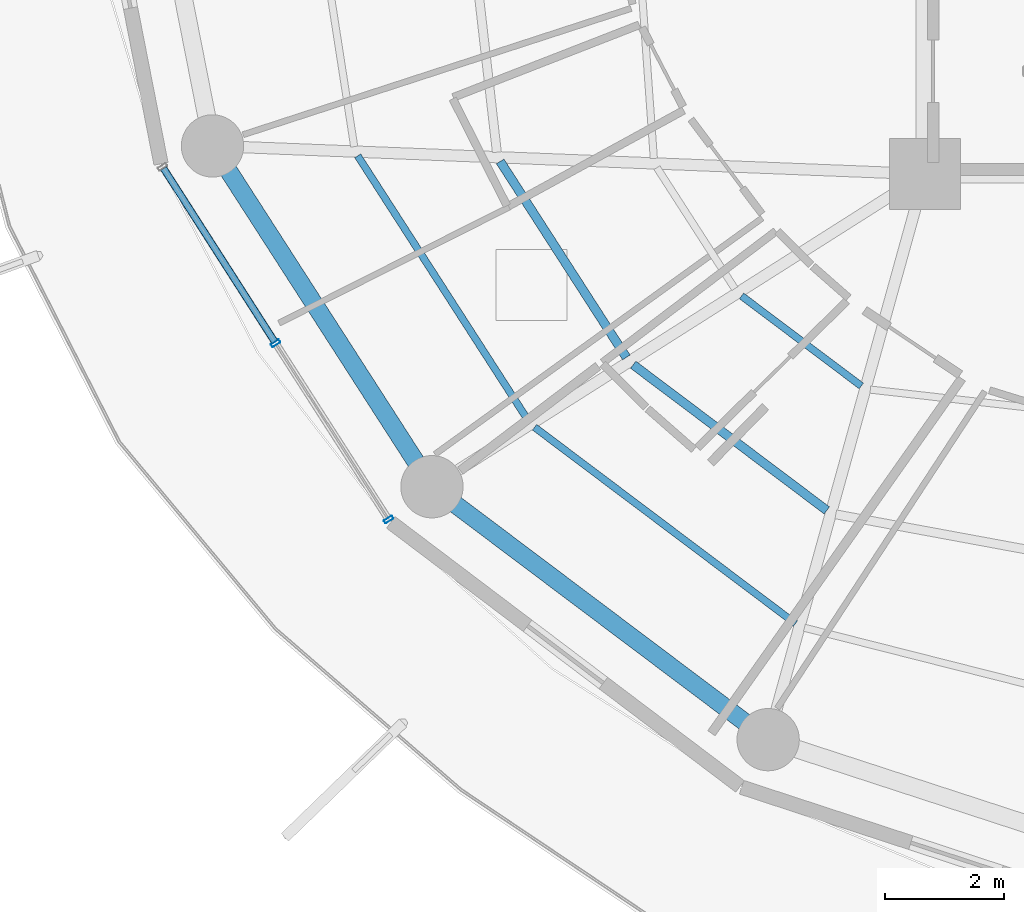
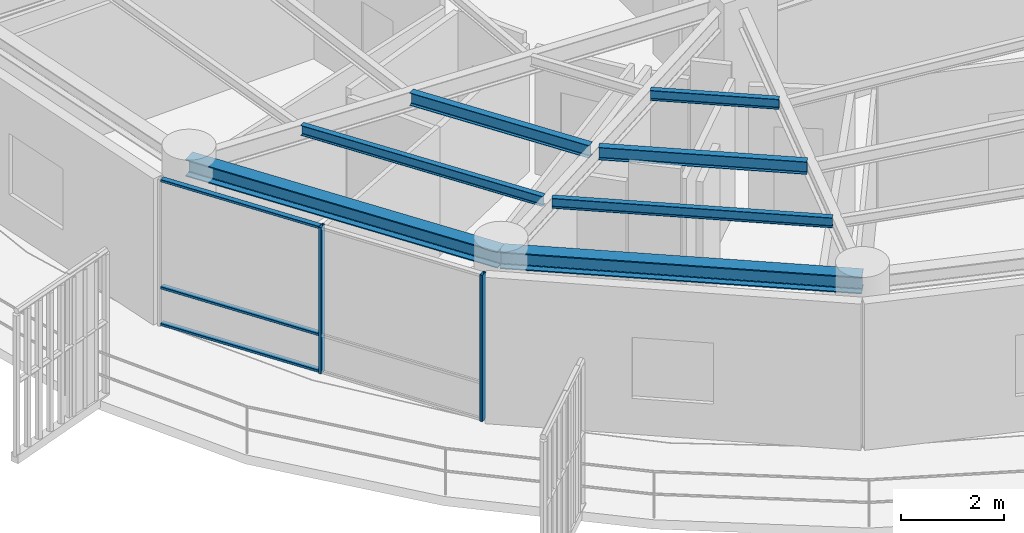
# One storey, part 2 of 30: 7 beams, 5 members, 1 element without a shape of its own.
"""IFC4 building model written with IfcOpenShell, lengths in metres."""

from ifc_helpers import new_model, si_unit, direction, frame, origin, origin_2d, place, context, subcontext, project, spatial, hollow_rectangle, i_section, extrude, material, layer, layer_set, material_profile, profile_set, type_object, element, aggregate, save


model = new_model("IFC4")

# Units and contexts
model_context = context("Model", 3, precision=1e-05, world=origin(), true_north=direction((0.0, 1.0)))
body_context = subcontext(model_context, "Body", "Model", "MODEL_VIEW")
ifc_project = project(units=[si_unit("LENGTHUNIT", "METRE"), si_unit("AREAUNIT", "SQUARE_METRE"), si_unit("VOLUMEUNIT", "CUBIC_METRE"), si_unit("PLANEANGLEUNIT", "RADIAN"), si_unit("MASSUNIT", "GRAM", prefix="KILO")], contexts=[model_context])

# Site, building, storey
site_placement = place(None, origin())
site = spatial("IfcSite", under=ifc_project, at=site_placement, CompositionType="ELEMENT")
building_placement = place(site_placement, origin())
building = spatial("IfcBuilding", under=site, at=building_placement, Name="Kelanora Arch Commons", CompositionType="ELEMENT")
storey_placement = place(building_placement, frame((0.0, 0.0, 211.949951171875)))
storey = spatial("IfcBuildingStorey", under=building, at=storey_placement, Name="L54", CompositionType="ELEMENT", Elevation=211.949951171875)

# Beams
ifc_material_1 = material(Name="Steel S355", Category="steel")
ifc_material_profile_1 = material_profile(ifc_material_1, i_section(OverallWidth=0.14990234375, OverallDepth=0.300048828125, WebThickness=0.007080078125, FlangeThickness=0.0107421875, FilletRadius=0.014892578125, at=origin_2d()), Name="IPE300")
ifc_profile_set_1 = profile_set([ifc_material_profile_1], Name="Steel S355")
beam_type_1 = type_object("IfcBeamType", Name="BM-JST-01", PredefinedType="JOIST", material=ifc_profile_set_1)
beam_1_placement = place(storey_placement, frame((58.847900390625, 51.213134765625, 3.340087890625), z_axis=(0.541411265892, -0.840757896879, 0.0), x_axis=(0.840757896879, 0.541411265892, 0.0)))
element("IfcBeam", 1, at=beam_1_placement, inside=storey, type_object=beam_type_1, Name="Secondary Chord Joist BJB-20 L54", PredefinedType="JOIST", context=body_context, shape_type="SweptSolid", body=[
    extrude(i_section(OverallWidth=0.14990234375, OverallDepth=0.300048828125, WebThickness=0.007080078125, FlangeThickness=0.0107421875, FilletRadius=0.014892578125, at=origin_2d()), origin(), (0.0, 0.0, 1.0), 3.92529296875),
])
beam_2_placement = place(storey_placement, frame((61.087158203125, 47.790283203125, 3.340087890625), z_axis=(0.799101708656, -0.601195857624, 0.0), x_axis=(0.601195857624, 0.799101708656, 0.0)))
element("IfcBeam", 2, at=beam_2_placement, inside=storey, type_object=beam_type_1, Name="Secondary Chord Joist BJB-22 L54", PredefinedType="JOIST", context=body_context, shape_type="SweptSolid", body=[
    extrude(i_section(OverallWidth=0.14990234375, OverallDepth=0.300048828125, WebThickness=0.007080078125, FlangeThickness=0.0107421875, FilletRadius=0.014892578125, at=origin_2d()), origin(), (0.0, 0.0, 1.0), 4.080810546875),
])
ifc_material_profile_2 = material_profile(ifc_material_1, i_section(OverallWidth=0.1201171875, OverallDepth=0.239990234375, WebThickness=0.006103515625, FlangeThickness=0.009765625, FilletRadius=0.014892578125, at=origin_2d()), Name="IPE240")
ifc_profile_set_2 = profile_set([ifc_material_profile_2], Name="Steel S355")
beam_type_2 = type_object("IfcBeamType", Name="BM-JST-02", PredefinedType="JOIST", material=ifc_profile_set_2)
beam_3_placement = place(storey_placement, frame((56.44873046875, 51.30810546875, 3.3701171875), z_axis=(0.541382492679, -0.840776424872, 0.0), x_axis=(0.840776424872, 0.541382492679, 0.0)))
element("IfcBeam", 3, at=beam_3_placement, inside=storey, type_object=beam_type_2, Name="Secondary Chord Joist BJC-20 L54", PredefinedType="JOIST", context=body_context, shape_type="SweptSolid", body=[
    extrude(i_section(OverallWidth=0.1201171875, OverallDepth=0.239990234375, WebThickness=0.006103515625, FlangeThickness=0.009765625, FilletRadius=0.014892578125, at=origin_2d()), origin(), (0.0, 0.0, 1.0), 5.29052734375),
])
beam_4_placement = place(storey_placement, frame((62.913330078125, 48.948486328125, 3.3701171875), z_axis=(0.79911638933, -0.601176343766, 0.0), x_axis=(0.601176343766, 0.79911638933, 0.0)))
element("IfcBeam", 4, at=beam_4_placement, inside=storey, type_object=beam_type_2, Name="Secondary Chord Joist BJA-22 L54", PredefinedType="JOIST", context=body_context, shape_type="SweptSolid", body=[
    extrude(i_section(OverallWidth=0.1201171875, OverallDepth=0.239990234375, WebThickness=0.006103515625, FlangeThickness=0.009765625, FilletRadius=0.014892578125, at=origin_2d()), origin(), (0.0, 0.0, 1.0), 2.522216796875),
])
beam_5_placement = place(storey_placement, frame((59.4267578125, 46.7373046875, 3.3701171875), z_axis=(0.799109197935, -0.601185902842, 0.0), x_axis=(0.601185902842, 0.799109197935, 0.0)))
element("IfcBeam", 5, at=beam_5_placement, inside=storey, type_object=beam_type_2, Name="Secondary Chord Joist BJC-22 L54", PredefinedType="JOIST", context=body_context, shape_type="SweptSolid", body=[
    extrude(i_section(OverallWidth=0.1201171875, OverallDepth=0.239990234375, WebThickness=0.006103515625, FlangeThickness=0.009765625, FilletRadius=0.014892578125, at=origin_2d()), origin(), (0.0, 0.0, 1.0), 5.497802734375),
])
ifc_material_profile_3 = material_profile(ifc_material_1, i_section(OverallWidth=0.300048828125, OverallDepth=0.39990234375, WebThickness=0.013427734375, FlangeThickness=0.02392578125, FilletRadius=0.027099609375, at=origin_2d()), Name="HEB400")
ifc_profile_set_3 = profile_set([ifc_material_profile_3], Name="Steel S355")
beam_type_3 = type_object("IfcBeamType", Name="BM-SPN-Z4", PredefinedType="SPANDREL", material=ifc_profile_set_3)
beam_6_placement = place(storey_placement, frame((54.00341796875, 51.474365234375, 3.2900390625), z_axis=(0.541364878868, -0.840787766281, 0.0), x_axis=(0.840787766281, 0.541364878868, 0.0)))
element("IfcBeam", 6, at=beam_6_placement, inside=storey, type_object=beam_type_3, Name="Perimeter Spandrel Beam BS-20 L54", PredefinedType="SPANDREL", context=body_context, shape_type="SweptSolid", body=[
    extrude(i_section(OverallWidth=0.300048828125, OverallDepth=0.39990234375, WebThickness=0.013427734375, FlangeThickness=0.02392578125, FilletRadius=0.027099609375, at=origin_2d()), origin(), (0.0, 0.0, 1.0), 6.825439453125),
])
beam_7_placement = place(storey_placement, frame((57.698486328125, 45.735595703125, 3.2900390625), z_axis=(0.799114211715, -0.60117923836, 0.0), x_axis=(0.60117923836, 0.799114211715, 0.0)))
element("IfcBeam", 7, at=beam_7_placement, inside=storey, type_object=beam_type_3, Name="Perimeter Spandrel Beam BS-22 L54", PredefinedType="SPANDREL", context=body_context, shape_type="SweptSolid", body=[
    extrude(i_section(OverallWidth=0.300048828125, OverallDepth=0.39990234375, WebThickness=0.013427734375, FlangeThickness=0.02392578125, FilletRadius=0.027099609375, at=origin_2d()), origin(), (0.0, 0.0, 1.0), 7.0849609375),
])

# Curtain wall, members
ifc_material_2 = material(Name="Terracotta ceramic-fritted low-E glass and aluminium", Category="masonry")
ifc_layer = layer(ifc_material_2, 0.175048828125)
ifc_layer_set = layer_set([ifc_layer], Name="Terracotta ceramic-fritted low-E glass and aluminium")
curtain_wall_type = type_object("IfcCurtainWallType", Name="CW-SYS-02", PredefinedType="NOTDEFINED", material=ifc_layer_set)
curtain_wall_placement = place(storey_placement, origin())
curtain_wall = element("IfcCurtainWall", 8, at=curtain_wall_placement, inside=storey, type_object=curtain_wall_type, Name="Unitised Curtain Wall L54-B10", PredefinedType="NOTDEFINED")
ifc_material_3 = material(Name="Powder-coated aluminium terracotta", Category="masonry")
ifc_material_profile_4 = material_profile(ifc_material_3, hollow_rectangle(XDim=0.159912109375, YDim=0.06005859375, WallThickness=0.0048828125, InnerFilletRadius=0.0048828125, OuterFilletRadius=0.010009765625, at=origin_2d()), Name="CWM160x60")
ifc_profile_set_4 = profile_set([ifc_material_profile_4], Name="Powder-coated aluminium terracotta")
member_type_1 = type_object("IfcMemberType", Name="CWM-STD", PredefinedType="MULLION", material=ifc_profile_set_4)
member_1_placement = place(storey_placement, frame((55.06640625, 48.15185546875, 0.0), z_axis=(0.0, 0.0, 1.0), x_axis=(0.84194757539, 0.539559338994, 0.0)))
member_1 = element("IfcMember", 9, at=member_1_placement, type_object=member_type_1, Name="CW-02 mullion 2", PredefinedType="MULLION", context=body_context, shape_type="SweptSolid", body=[
    extrude(hollow_rectangle(XDim=0.159912109375, YDim=0.06005859375, WallThickness=0.0048828125, InnerFilletRadius=0.0048828125, OuterFilletRadius=0.010009765625, at=origin_2d()), origin(), (0.0, 0.0, 1.0), 3.47509765625),
])
member_2_placement = place(storey_placement, frame((56.969482421875, 45.18212890625, 0.0), z_axis=(0.0, 0.0, 1.0), x_axis=(0.84194757539, 0.539559338994, 0.0)))
member_2 = element("IfcMember", 10, at=member_2_placement, type_object=member_type_1, Name="CW-02 mullion 3", PredefinedType="MULLION", context=body_context, shape_type="SweptSolid", body=[
    extrude(hollow_rectangle(XDim=0.159912109375, YDim=0.06005859375, WallThickness=0.0048828125, InnerFilletRadius=0.0048828125, OuterFilletRadius=0.010009765625, at=origin_2d()), origin(), (0.0, 0.0, 1.0), 3.47509765625),
])
ifc_material_profile_5 = material_profile(ifc_material_3, hollow_rectangle(XDim=0.1201171875, YDim=0.06005859375, WallThickness=0.0048828125, InnerFilletRadius=0.0048828125, OuterFilletRadius=0.010009765625, at=origin_2d()), Name="CWT120x60")
ifc_profile_set_5 = profile_set([ifc_material_profile_5], Name="Powder-coated aluminium terracotta")
member_type_2 = type_object("IfcMemberType", Name="CWT-STD", PredefinedType="USERDEFINED", material=ifc_profile_set_5)
member_3_placement = place(storey_placement, frame((53.17919921875, 51.096435546875, 0.030029296875), z_axis=(0.539579095642, -0.84193491408, 0.0), x_axis=(0.84193491408, 0.539579095642, 0.0)))
member_3 = element("IfcMember", 11, at=member_3_placement, type_object=member_type_2, Name="CW-02 transom 1.1", ObjectType="TRANSOM", PredefinedType="USERDEFINED", context=body_context, shape_type="SweptSolid", body=[
    extrude(hollow_rectangle(XDim=0.1201171875, YDim=0.06005859375, WallThickness=0.0048828125, InnerFilletRadius=0.0048828125, OuterFilletRadius=0.010009765625, at=origin_2d()), origin(), (0.0, 0.0, 1.0), 3.46728515625),
])
member_4_placement = place(storey_placement, frame((53.17919921875, 51.096435546875, 0.900146484375), z_axis=(0.539579095642, -0.84193491408, 0.0), x_axis=(0.84193491408, 0.539579095642, 0.0)))
member_4 = element("IfcMember", 12, at=member_4_placement, type_object=member_type_2, Name="CW-02 transom 1.2", ObjectType="TRANSOM", PredefinedType="USERDEFINED", context=body_context, shape_type="SweptSolid", body=[
    extrude(hollow_rectangle(XDim=0.1201171875, YDim=0.06005859375, WallThickness=0.0048828125, InnerFilletRadius=0.0048828125, OuterFilletRadius=0.010009765625, at=origin_2d()), origin(), (0.0, 0.0, 1.0), 3.46728515625),
])
member_5_placement = place(storey_placement, frame((53.17919921875, 51.096435546875, 3.445068359375), z_axis=(0.539579095642, -0.84193491408, 0.0), x_axis=(0.84193491408, 0.539579095642, 0.0)))
member_5 = element("IfcMember", 13, at=member_5_placement, type_object=member_type_2, Name="CW-02 transom 1.3", ObjectType="TRANSOM", PredefinedType="USERDEFINED", context=body_context, shape_type="SweptSolid", body=[
    extrude(hollow_rectangle(XDim=0.1201171875, YDim=0.06005859375, WallThickness=0.0048828125, InnerFilletRadius=0.0048828125, OuterFilletRadius=0.010009765625, at=origin_2d()), origin(), (0.0, 0.0, 1.0), 3.46728515625),
])
aggregate(curtain_wall, [member_1, member_2, member_3, member_4, member_5])

save(model, "model.ifc")
